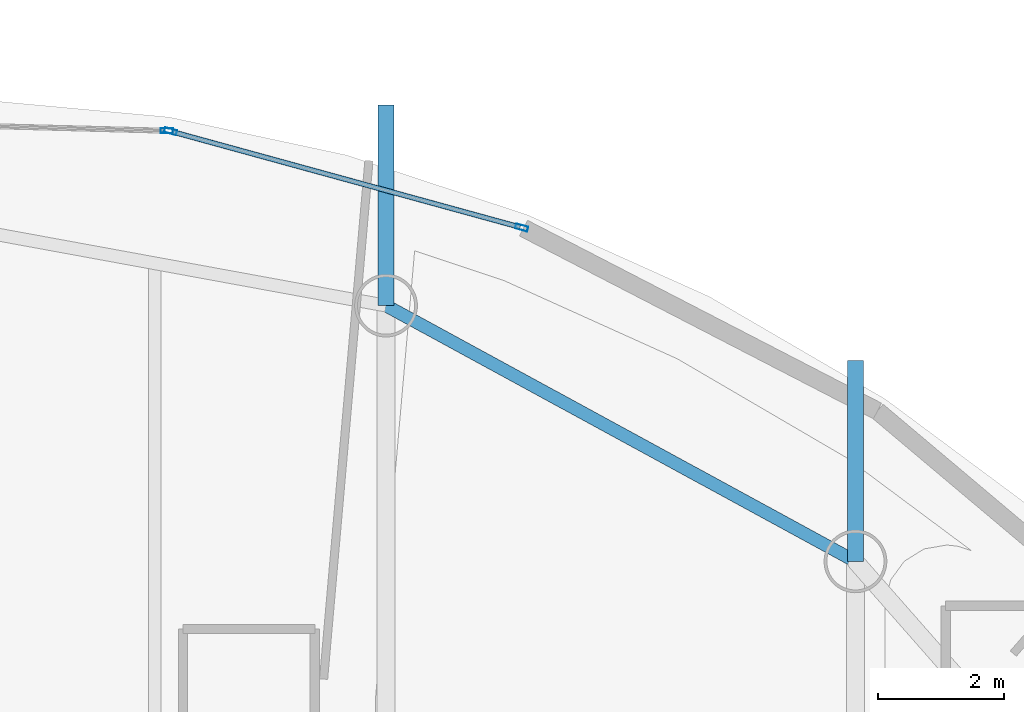
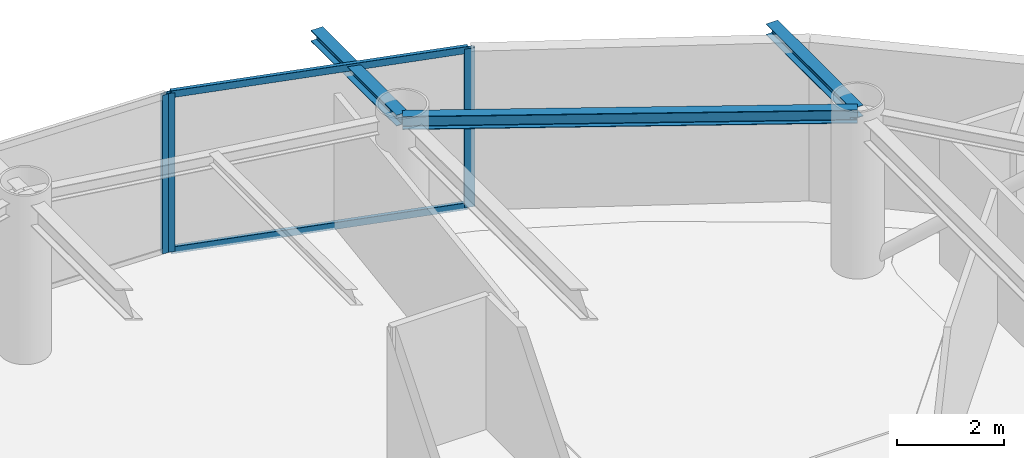
# One storey, part 13 of 20: 5 members, 3 beams, 2 elements without a shape of their own.
"""IFC4 building model written with IfcOpenShell, lengths in metres."""

from ifc_helpers import new_model, si_unit, direction, frame, origin, origin_2d, place, context, subcontext, project, spatial, hollow_rectangle, i_section, extrude, material, layer, layer_set, material_profile, profile_set, type_object, element, aggregate, save


model = new_model("IFC4")

# Units and contexts
model_context = context("Model", 3, precision=1e-05, world=origin(), true_north=direction((0.0, 1.0)))
body_context = subcontext(model_context, "Body", "Model", "MODEL_VIEW")
ifc_project = project(units=[si_unit("LENGTHUNIT", "METRE"), si_unit("AREAUNIT", "SQUARE_METRE"), si_unit("VOLUMEUNIT", "CUBIC_METRE"), si_unit("PLANEANGLEUNIT", "RADIAN"), si_unit("MASSUNIT", "GRAM", prefix="KILO")], contexts=[model_context])

# Site, building, storey
site_placement = place(None, origin())
site = spatial("IfcSite", under=ifc_project, at=site_placement, CompositionType="ELEMENT")
building_placement = place(site_placement, origin())
building = spatial("IfcBuilding", under=site, at=building_placement, Name="Bramvorn Convention Spire", CompositionType="ELEMENT")
storey_placement = place(building_placement, frame((0.0, 0.0, 284.39990234375)))
storey = spatial("IfcBuildingStorey", under=building, at=storey_placement, Name="L72", CompositionType="ELEMENT", Elevation=284.39990234375)

# Beams
ifc_material_1 = material(Name="Steel CSA G40.21 Grade 350 (350W)", Category="steel")
ifc_material_profile_1 = material_profile(ifc_material_1, i_section(OverallWidth=0.25390625, OverallDepth=0.2529296875, WebThickness=0.008544921875, FlangeThickness=0.01416015625, FilletRadius=0.011962890625, at=origin_2d()))
ifc_profile_set_1 = profile_set([ifc_material_profile_1], Name="Steel CSA G40.21 Grade 350 (350W) - W250X73")
beam_type_1 = type_object("IfcBeamType", Name="BM-W250X73", PredefinedType="BEAM", material=ifc_profile_set_1)
for number, where, z_axis, x_axis, name in (
    (1, (47.662353515625, 41.476806640625, 3.49853515625), (0.0, 1.0, 0.0), (-1.0, 0.0, 0.0), "L72 slab-edge cantilever tip beam MC06"),
    (2, (40.1845703125, 45.55078125, 3.49853515625), (0.0, 1.0, 0.0), (-1.0, 0.0, 0.0), "L72 slab-edge cantilever tip beam MC07"),
):
    element("IfcBeam", number, at=place(storey_placement, frame(where, z_axis=z_axis, x_axis=x_axis)), inside=storey, type_object=beam_type_1, Name=name, PredefinedType="BEAM", context=body_context, shape_type="SweptSolid", body=[
        extrude(i_section(OverallWidth=0.25390625, OverallDepth=0.2529296875, WebThickness=0.008544921875, FlangeThickness=0.01416015625, FilletRadius=0.011962890625, at=origin_2d()), origin(), (0.0, 0.0, 1.0), 3.199951171875),
    ])
ifc_material_profile_2 = material_profile(ifc_material_1, i_section(OverallWidth=0.202880859375, OverallDepth=0.302978515625, WebThickness=0.007568359375, FlangeThickness=0.01318359375, FilletRadius=0.013916015625, at=origin_2d()))
ifc_profile_set_2 = profile_set([ifc_material_profile_2], Name="Steel CSA G40.21 Grade 350 (350W) - W310X60")
beam_type_2 = type_object("IfcBeamType", Name="BM-W310X60", PredefinedType="JOIST", material=ifc_profile_set_2)
beam_placement = place(storey_placement, frame((47.662353515625, 41.476806640625, 3.4736328125), z_axis=(-0.878133224771, 0.478416178189, 0.0), x_axis=(-0.478416178189, -0.878133224771, 0.0)))
element("IfcBeam", 3, at=beam_placement, inside=storey, type_object=beam_type_2, Name="L72 mega-column ring beam 06", PredefinedType="JOIST", context=body_context, shape_type="SweptSolid", body=[
    extrude(i_section(OverallWidth=0.202880859375, OverallDepth=0.302978515625, WebThickness=0.007568359375, FlangeThickness=0.01318359375, FilletRadius=0.013916015625, at=origin_2d()), origin(), (0.0, 0.0, 1.0), 8.515625),
])

# Curtain wall, members
ifc_material_2 = material(Name="Anodised Bronze Unitised Curtain Wall", Category="aluminium")
ifc_layer = layer(ifc_material_2, 0.179931640625)
ifc_layer_set = layer_set([ifc_layer], Name="Anodised Bronze Unitised Curtain Wall - CW-OFF-FRIT")
curtain_wall_type = type_object("IfcCurtainWallType", Name="CW-OFF-FRIT", PredefinedType="USERDEFINED", material=ifc_layer_set)
curtain_wall_1_placement = place(storey_placement, origin())
curtain_wall_1 = element("IfcCurtainWall", 4, at=curtain_wall_1_placement, inside=storey, type_object=curtain_wall_type, Name="L72 fritted glass curtain wall 10", ObjectType="UNITISED CURTAIN WALL", PredefinedType="USERDEFINED")
ifc_material_3 = material(Name="Anodised Bronze Aluminium 6063-T6", Category="aluminium")
ifc_material_profile_3 = material_profile(ifc_material_3, hollow_rectangle(XDim=0.080078125, YDim=0.199951171875, WallThickness=0.00390625, InnerFilletRadius=0.0009765625, OuterFilletRadius=0.00390625, at=origin_2d()))
ifc_profile_set_3 = profile_set([ifc_material_profile_3], Name="Anodised Bronze Aluminium 6063-T6 - CWM80X200")
member_type_1 = type_object("IfcMemberType", Name="CW-MUL-180", PredefinedType="MULLION", material=ifc_profile_set_3)
member_1_placement = place(storey_placement, frame((36.7529296875, 48.327880859375, 0.0), z_axis=(0.0, 0.0, 1.0), x_axis=(0.264608696866, 0.96435586665, 0.0)))
member_1 = element("IfcMember", 5, at=member_1_placement, type_object=member_type_1, Name="CW3 mullion 1", PredefinedType="MULLION", context=body_context, shape_type="SweptSolid", body=[
    extrude(hollow_rectangle(XDim=0.080078125, YDim=0.199951171875, WallThickness=0.00390625, InnerFilletRadius=0.0009765625, OuterFilletRadius=0.00390625, at=origin_2d()), origin(), (0.0, 0.0, 1.0), 3.625),
])
member_2_placement = place(storey_placement, frame((42.345947265625, 46.793212890625, 0.0), z_axis=(0.0, 0.0, 1.0), x_axis=(0.264608696866, 0.96435586665, 0.0)))
member_2 = element("IfcMember", 6, at=member_2_placement, type_object=member_type_1, Name="CW3 mullion 2", PredefinedType="MULLION", context=body_context, shape_type="SweptSolid", body=[
    extrude(hollow_rectangle(XDim=0.080078125, YDim=0.199951171875, WallThickness=0.00390625, InnerFilletRadius=0.0009765625, OuterFilletRadius=0.00390625, at=origin_2d()), origin(), (0.0, 0.0, 1.0), 3.625),
])

# Curtain wall, member
curtain_wall_2_placement = place(storey_placement, origin())
curtain_wall_2 = element("IfcCurtainWall", 7, at=curtain_wall_2_placement, inside=storey, type_object=curtain_wall_type, Name="L72 fritted glass curtain wall 11", ObjectType="UNITISED CURTAIN WALL", PredefinedType="USERDEFINED")
member_3_placement = place(storey_placement, frame((36.69384765625, 48.336669921875, 0.0), z_axis=(0.0, 0.0, 1.0), x_axis=(0.02625895308, 0.999655174239, 0.0)))
member_3 = element("IfcMember", 8, at=member_3_placement, type_object=member_type_1, Name="CW3 mullion 2", PredefinedType="MULLION", context=body_context, shape_type="SweptSolid", body=[
    extrude(hollow_rectangle(XDim=0.080078125, YDim=0.199951171875, WallThickness=0.00390625, InnerFilletRadius=0.0009765625, OuterFilletRadius=0.00390625, at=origin_2d()), origin(), (0.0, 0.0, 1.0), 3.625),
])
aggregate(curtain_wall_2, [member_3])

# Member
ifc_material_profile_4 = material_profile(ifc_material_3, hollow_rectangle(XDim=0.080078125, YDim=0.159912109375, WallThickness=0.00390625, InnerFilletRadius=0.0009765625, OuterFilletRadius=0.00390625, at=origin_2d()))
ifc_profile_set_4 = profile_set([ifc_material_profile_4], Name="Anodised Bronze Aluminium 6063-T6 - CWT80X160")
member_type_2 = type_object("IfcMemberType", Name="CW-TRN-150", PredefinedType="USERDEFINED", material=ifc_profile_set_4)
member_4_placement = place(storey_placement, frame((36.78173828125, 48.320068359375, 0.030029296875), z_axis=(0.964358287917, -0.264599872497, 0.0), x_axis=(0.264599872497, 0.964358287917, 0.0)))
member_4 = element("IfcMember", 9, at=member_4_placement, type_object=member_type_2, Name="CW3 transom 1.1", ObjectType="TRANSOM", PredefinedType="USERDEFINED", context=body_context, shape_type="SweptSolid", body=[
    extrude(hollow_rectangle(XDim=0.080078125, YDim=0.159912109375, WallThickness=0.00390625, InnerFilletRadius=0.0009765625, OuterFilletRadius=0.00390625, at=origin_2d()), origin(), (0.0, 0.0, 1.0), 5.739990234375),
])

member_5_placement = place(storey_placement, frame((36.78173828125, 48.320068359375, 3.59521484375), z_axis=(0.964358287917, -0.264599872497, 0.0), x_axis=(0.264599872497, 0.964358287917, 0.0)))
member_5 = element("IfcMember", 10, at=member_5_placement, type_object=member_type_2, Name="CW3 transom 1.2", ObjectType="TRANSOM", PredefinedType="USERDEFINED", context=body_context, shape_type="SweptSolid", body=[
    extrude(hollow_rectangle(XDim=0.080078125, YDim=0.159912109375, WallThickness=0.00390625, InnerFilletRadius=0.0009765625, OuterFilletRadius=0.00390625, at=origin_2d()), origin(), (0.0, 0.0, 1.0), 5.739990234375),
])

aggregate(curtain_wall_1, [member_1, member_2, member_4, member_5])

save(model, "model.ifc")
